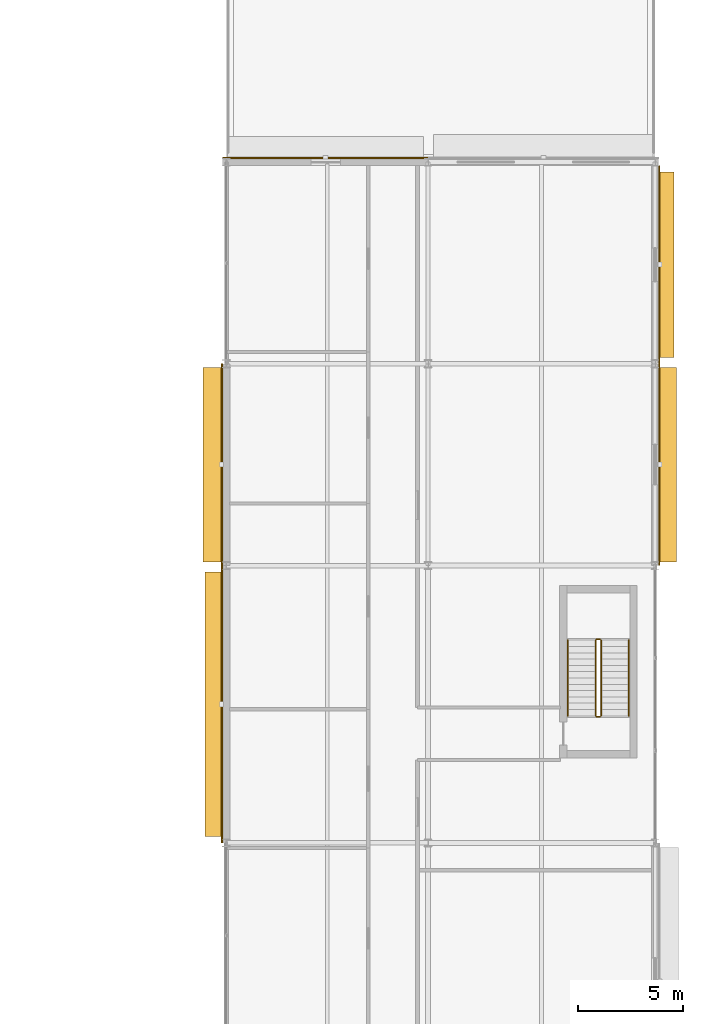
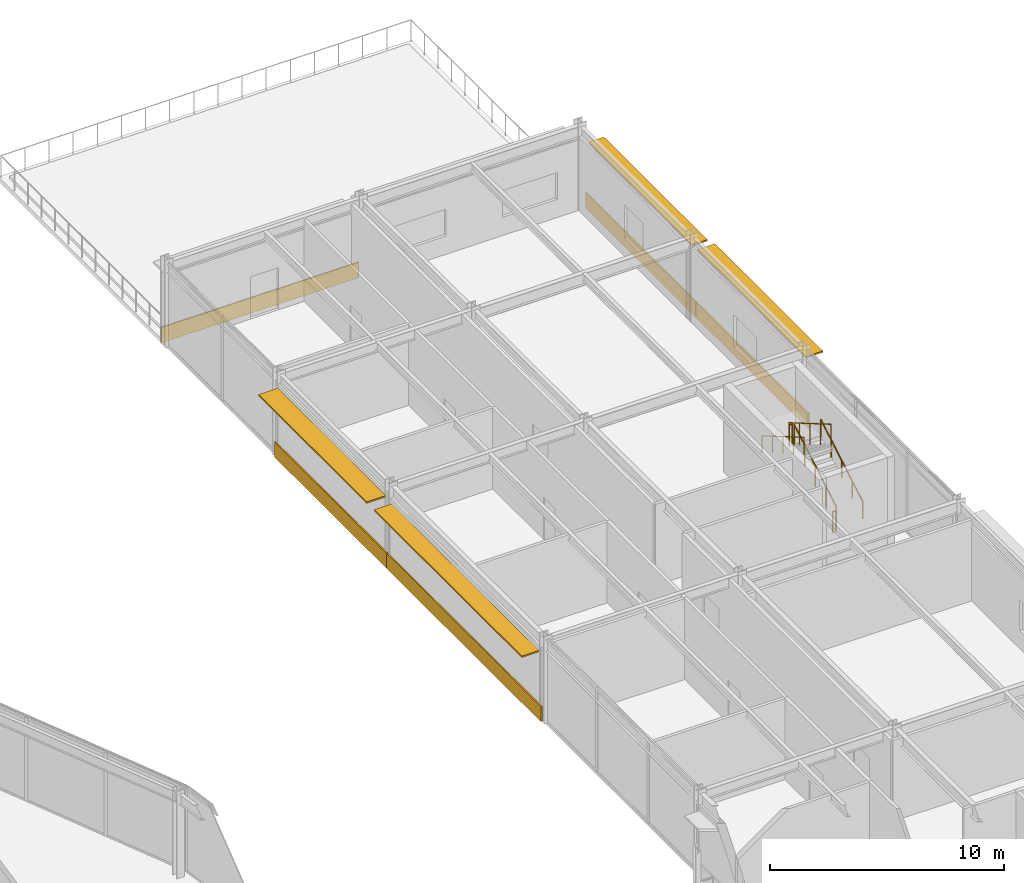
# One storey, part 156 of 157: 6 railings, 5 coverings, 4 shading devices.
"""IFC4 building model written with IfcOpenShell, lengths in metres."""

from ifc_helpers import new_model, si_unit, direction, frame, origin, origin_2d, place, context, subcontext, project, spatial, rectangle, circle, extrude, material, layer, layer_set, type_object, element, save


model = new_model("IFC4")

# Units and contexts
model_context = context("Model", 3, precision=1e-05, world=origin(), true_north=direction((0.0, 1.0)))
body_context = subcontext(model_context, "Body", "Model", "MODEL_VIEW")
ifc_project = project(units=[si_unit("LENGTHUNIT", "METRE"), si_unit("AREAUNIT", "SQUARE_METRE"), si_unit("VOLUMEUNIT", "CUBIC_METRE"), si_unit("PLANEANGLEUNIT", "RADIAN"), si_unit("MASSUNIT", "GRAM", prefix="KILO")], contexts=[model_context])

# Site, building, storey
site_placement = place(None, origin())
site = spatial("IfcSite", under=ifc_project, at=site_placement, CompositionType="ELEMENT")
building_placement = place(site_placement, origin())
building = spatial("IfcBuilding", under=site, at=building_placement, Name="Almandine Court Research Institute", CompositionType="ELEMENT")
storey_placement = place(building_placement, frame((0.0, 0.0, 5.25)))
storey = spatial("IfcBuildingStorey", under=building, at=storey_placement, Name="L01", CompositionType="ELEMENT", Elevation=5.25)

# Coverings
ifc_material_1 = material(Name="Honed Andean Red-Buff Sandstone Cladding", Category="masonry")
ifc_layer_1 = layer(ifc_material_1, 0.06494140625)
ifc_layer_set_1 = layer_set([ifc_layer_1], Name="Honed Andean Red-Buff Sandstone Cladding")
covering_type = type_object("IfcCoveringType", Name="Cov-CLAD-SAND", PredefinedType="CLADDING", material=ifc_layer_set_1)
covering_1_placement = place(storey_placement, frame((153.39892578125, 77.39990234375, 0.02001953125), z_axis=(0.0, 0.0, 1.0), x_axis=(0.0, 1.0, 0.0)))
element("IfcCovering", 1, at=covering_1_placement, inside=storey, type_object=covering_type, Name="L01 Facade Spandrel Cladding Band 123", PredefinedType="CLADDING", context=body_context, shape_type="SweptSolid", body=[
    extrude(rectangle(XDim=13.19189453125, YDim=0.06494140625, at=origin_2d()), origin(), (0.0, 0.0, 1.0), 0.800048828125),
])
covering_2_placement = place(storey_placement, frame((153.39892578125, 88.800048828125, 0.02001953125), z_axis=(0.0, 0.0, 1.0), x_axis=(0.0, 1.0, 0.0)))
element("IfcCovering", 2, at=covering_2_placement, inside=storey, type_object=covering_type, Name="L01 Facade Spandrel Cladding Band 124", PredefinedType="CLADDING", context=body_context, shape_type="SweptSolid", body=[
    extrude(rectangle(XDim=9.592041015625, YDim=0.06494140625, at=origin_2d()), origin(), (0.0, 0.0, 1.0), 0.800048828125),
])
covering_3_placement = place(storey_placement, frame((158.31298828125, 103.40087890625, 0.02001953125), z_axis=(0.0, 0.0, 1.0), x_axis=(1.0, 0.0, 0.0)))
element("IfcCovering", 3, at=covering_3_placement, inside=storey, type_object=covering_type, Name="L01 Facade Spandrel Cladding Band 125", PredefinedType="CLADDING", context=body_context, shape_type="SweptSolid", body=[
    extrude(rectangle(XDim=9.76611328125, YDim=0.06494140625, at=origin_2d()), origin(), (0.0, 0.0, 1.0), 0.800048828125),
])
covering_4_placement = place(storey_placement, frame((174.200927734375, 98.31494140625, 0.02001953125), z_axis=(0.0, 0.0, 1.0), x_axis=(0.0, -1.0, 0.0)))
element("IfcCovering", 4, at=covering_4_placement, inside=storey, type_object=covering_type, Name="L01 Facade Spandrel Cladding Band 127", PredefinedType="CLADDING", context=body_context, shape_type="SweptSolid", body=[
    extrude(rectangle(XDim=9.422119140625, YDim=0.06494140625, at=origin_2d()), origin(), (0.0, 0.0, 1.0), 0.800048828125),
])
covering_5_placement = place(storey_placement, frame((174.200927734375, 88.800048828125, 0.02001953125), z_axis=(0.0, 0.0, 1.0), x_axis=(0.0, -1.0, 0.0)))
element("IfcCovering", 5, at=covering_5_placement, inside=storey, type_object=covering_type, Name="L01 Facade Spandrel Cladding Band 128", PredefinedType="CLADDING", context=body_context, shape_type="SweptSolid", body=[
    extrude(rectangle(XDim=9.592041015625, YDim=0.06494140625, at=origin_2d()), origin(), (0.0, 0.0, 1.0), 0.800048828125),
])

# Railings
ifc_material_2 = material(Name="Powder-Coated Steel Stair and Atrium Balustrade", Category="steel")
railing_type_1 = type_object("IfcRailingType", Name="Rail-GUARD-INT", PredefinedType="BALUSTRADE", material=ifc_material_2)
railing_1_placement = place(storey_placement, frame((171.429931640625, 76.85009765625, 0.175048828125)))
element("IfcRailing", 6, at=railing_1_placement, inside=storey, type_object=railing_type_1, Name="L01 ST-13 stair guard 1", PredefinedType="BALUSTRADE", context=body_context, shape_type="SweptSolid", body=[
    extrude(circle(Radius=0.02392578125, at=origin_2d()), frame((0.0, 0.0, 1.09619140625), z_axis=(0.0, 0.86378527499, 0.503860098351), x_axis=(-1.0, 0.0, 0.0)), (0.0, 0.0, 1.0), 4.16748046875),
    extrude(circle(Radius=0.02099609375, at=origin_2d()), origin(), (0.0, 0.0, 1.0), 1.072021484375),
    extrude(circle(Radius=0.02099609375, at=origin_2d()), frame((0.0, 0.89990234375, 0.52490234375)), (0.0, 0.0, 1.0), 1.072021484375),
    extrude(circle(Radius=0.02099609375, at=origin_2d()), frame((0.0, 1.7998046875, 1.0498046875)), (0.0, 0.0, 1.0), 1.072021484375),
    extrude(circle(Radius=0.02099609375, at=origin_2d()), frame((0.0, 2.699951171875, 1.574951171875)), (0.0, 0.0, 1.0), 1.072021484375),
    extrude(circle(Radius=0.02099609375, at=origin_2d()), frame((0.0, 3.599853515625, 2.099853515625)), (0.0, 0.0, 1.0), 1.072021484375),
])
railing_2_placement = place(storey_placement, frame((171.3798828125, 80.5, 2.27490234375)))
element("IfcRailing", 7, at=railing_2_placement, inside=storey, type_object=railing_type_1, Name="L01 ST-13 stair guard 2", PredefinedType="BALUSTRADE", context=body_context, shape_type="SweptSolid", body=[
    extrude(circle(Radius=0.02392578125, at=origin_2d()), frame((0.0, 0.0, 1.09619140625), z_axis=(-1.0, 0.0, 0.0), x_axis=(0.0, -1.0, 0.0)), (0.0, 0.0, 1.0), 0.159912109375),
    extrude(circle(Radius=0.02099609375, at=origin_2d()), origin(), (0.0, 0.0, 1.0), 1.072021484375),
    extrude(circle(Radius=0.02099609375, at=origin_2d()), frame((-0.159912109375, 0.0, 0.0)), (0.0, 0.0, 1.0), 1.072021484375),
])
railing_3_placement = place(storey_placement, frame((171.169921875, 80.449951171875, 2.449951171875)))
element("IfcRailing", 8, at=railing_3_placement, inside=storey, type_object=railing_type_1, Name="L01 ST-13 stair guard 3", PredefinedType="BALUSTRADE", context=body_context, shape_type="SweptSolid", body=[
    extrude(circle(Radius=0.02392578125, at=origin_2d()), frame((0.0, 0.0, 1.09619140625), z_axis=(0.0, -0.863759778359, 0.503903805591), x_axis=(1.0, 0.0, 0.0)), (0.0, 0.0, 1.0), 4.167724609375),
    extrude(circle(Radius=0.02099609375, at=origin_2d()), origin(), (0.0, 0.0, 1.0), 1.072021484375),
    extrude(circle(Radius=0.02099609375, at=origin_2d()), frame((0.0, -0.89990234375, 0.52490234375)), (0.0, 0.0, 1.0), 1.072021484375),
    extrude(circle(Radius=0.02099609375, at=origin_2d()), frame((0.0, -1.7998046875, 1.050048828125)), (0.0, 0.0, 1.0), 1.072021484375),
    extrude(circle(Radius=0.02099609375, at=origin_2d()), frame((0.0, -2.699951171875, 1.5751953125)), (0.0, 0.0, 1.0), 1.072021484375),
    extrude(circle(Radius=0.02099609375, at=origin_2d()), frame((0.0, -3.599853515625, 2.10009765625)), (0.0, 0.0, 1.0), 1.072021484375),
])
railing_4_placement = place(storey_placement, frame((171.3798828125, 76.800048828125, 0.0)))
element("IfcRailing", 9, at=railing_4_placement, inside=storey, type_object=railing_type_1, Name="L01 ST-13 stair guard 4", PredefinedType="BALUSTRADE", context=body_context, shape_type="SweptSolid", body=[
    extrude(circle(Radius=0.02392578125, at=origin_2d()), frame((0.0, 0.0, 1.09619140625), z_axis=(-1.0, 0.0, 0.0), x_axis=(0.0, -1.0, 0.0)), (0.0, 0.0, 1.0), 0.159912109375),
    extrude(circle(Radius=0.02099609375, at=origin_2d()), origin(), (0.0, 0.0, 1.0), 1.072021484375),
    extrude(circle(Radius=0.02099609375, at=origin_2d()), frame((-0.159912109375, 0.0, 0.0)), (0.0, 0.0, 1.0), 1.072021484375),
])
ifc_material_3 = material(Name="Brushed Stainless Steel Wall Handrail", Category="steel")
railing_type_2 = type_object("IfcRailingType", Name="Rail-HAND-INT", PredefinedType="HANDRAIL", material=ifc_material_3)
railing_5_placement = place(storey_placement, frame((172.75, 76.85009765625, 0.175048828125)))
element("IfcRailing", 10, at=railing_5_placement, inside=storey, type_object=railing_type_2, Name="L01 ST-13 stair handrail 1", PredefinedType="HANDRAIL", context=body_context, shape_type="SweptSolid", body=[
    extrude(circle(Radius=0.02392578125, at=origin_2d()), frame((0.0, 0.0, 0.8759765625), z_axis=(0.0, 0.86378527499, 0.503860098351), x_axis=(-1.0, 0.0, 0.0)), (0.0, 0.0, 1.0), 4.16748046875),
    extrude(circle(Radius=0.02099609375, at=origin_2d()), origin(), (0.0, 0.0, 1.0), 0.851806640625),
    extrude(circle(Radius=0.02099609375, at=origin_2d()), frame((0.0, 0.89990234375, 0.52490234375)), (0.0, 0.0, 1.0), 0.851806640625),
    extrude(circle(Radius=0.02099609375, at=origin_2d()), frame((0.0, 1.7998046875, 1.0498046875)), (0.0, 0.0, 1.0), 0.851806640625),
    extrude(circle(Radius=0.02099609375, at=origin_2d()), frame((0.0, 2.699951171875, 1.574951171875)), (0.0, 0.0, 1.0), 0.851806640625),
    extrude(circle(Radius=0.02099609375, at=origin_2d()), frame((0.0, 3.599853515625, 2.099853515625)), (0.0, 0.0, 1.0), 0.851806640625),
])
railing_6_placement = place(storey_placement, frame((169.85009765625, 80.449951171875, 2.449951171875)))
element("IfcRailing", 11, at=railing_6_placement, inside=storey, type_object=railing_type_2, Name="L01 ST-13 stair handrail 2", PredefinedType="HANDRAIL", context=body_context, shape_type="SweptSolid", body=[
    extrude(circle(Radius=0.02392578125, at=origin_2d()), frame((0.0, 0.0, 0.8759765625), z_axis=(0.0, -0.863759778359, 0.503903805591), x_axis=(1.0, 0.0, 0.0)), (0.0, 0.0, 1.0), 4.167724609375),
    extrude(circle(Radius=0.02099609375, at=origin_2d()), origin(), (0.0, 0.0, 1.0), 0.851806640625),
    extrude(circle(Radius=0.02099609375, at=origin_2d()), frame((0.0, -0.89990234375, 0.52490234375)), (0.0, 0.0, 1.0), 0.851806640625),
    extrude(circle(Radius=0.02099609375, at=origin_2d()), frame((0.0, -1.7998046875, 1.050048828125)), (0.0, 0.0, 1.0), 0.851806640625),
    extrude(circle(Radius=0.02099609375, at=origin_2d()), frame((0.0, -2.699951171875, 1.5751953125)), (0.0, 0.0, 1.0), 0.851806640625),
    extrude(circle(Radius=0.02099609375, at=origin_2d()), frame((0.0, -3.599853515625, 2.10009765625)), (0.0, 0.0, 1.0), 0.851806640625),
])

# Shading devices
ifc_material_4 = material(Name="Precast GFRC Chhajja Sunshade and Acoustic Louvre", Category="concrete")
ifc_layer_2 = layer(ifc_material_4, 0.080078125)
ifc_layer_set_2 = layer_set([ifc_layer_2], Name="Precast GFRC Chhajja Sunshade and Acoustic Louvre")
shading_device_type_1 = type_object("IfcShadingDeviceType", Name="Shd-SD-04", PredefinedType="AWNING", material=ifc_layer_set_2)
shading_device_1_placement = place(storey_placement, frame((174.5849609375, 88.800048828125, 3.60400390625), z_axis=(0.0, 0.0, 1.0), x_axis=(0.0, -1.0, 0.0)))
element("IfcShadingDevice", 12, at=shading_device_1_placement, inside=storey, type_object=shading_device_type_1, Name="L01 Projecting Chhajja Sunshade 84", PredefinedType="AWNING", context=body_context, shape_type="SweptSolid", body=[
    extrude(rectangle(XDim=9.241943359375, YDim=0.85009765625, at=origin_2d()), origin(), (0.0, 0.0, 1.0), 0.080078125),
])
ifc_layer_3 = layer(ifc_material_4, 0.080078125)
ifc_layer_set_3 = layer_set([ifc_layer_3], Name="Precast GFRC Chhajja Sunshade and Acoustic Louvre")
shading_device_type_2 = type_object("IfcShadingDeviceType", Name="Shd-SD-11", PredefinedType="AWNING", material=ifc_layer_set_3)
shading_device_2_placement = place(storey_placement, frame((152.965087890625, 88.800048828125, 3.613037109375), z_axis=(0.0, 0.0, 1.0), x_axis=(0.0, 1.0, 0.0)))
element("IfcShadingDevice", 13, at=shading_device_2_placement, inside=storey, type_object=shading_device_type_2, Name="L01 Projecting Chhajja Sunshade 80", PredefinedType="AWNING", context=body_context, shape_type="SweptSolid", body=[
    extrude(rectangle(XDim=9.241943359375, YDim=0.949951171875, at=origin_2d()), origin(), (0.0, 0.0, 1.0), 0.080078125),
])
ifc_layer_4 = layer(ifc_material_4, 0.080078125)
ifc_layer_set_4 = layer_set([ifc_layer_4], Name="Precast GFRC Chhajja Sunshade and Acoustic Louvre")
shading_device_type_3 = type_object("IfcShadingDeviceType", Name="Shd-SD-48", PredefinedType="AWNING", material=ifc_layer_set_4)
shading_device_3_placement = place(storey_placement, frame((153.014892578125, 77.39990234375, 3.4619140625), z_axis=(0.0, 0.0, 1.0), x_axis=(0.0, 1.0, 0.0)))
element("IfcShadingDevice", 14, at=shading_device_3_placement, inside=storey, type_object=shading_device_type_3, Name="L01 Projecting Chhajja Sunshade 79", PredefinedType="AWNING", context=body_context, shape_type="SweptSolid", body=[
    extrude(rectangle(XDim=12.60205078125, YDim=0.85009765625, at=origin_2d()), origin(), (0.0, 0.0, 1.0), 0.080078125),
])
ifc_layer_5 = layer(ifc_material_4, 0.080078125)
ifc_layer_set_5 = layer_set([ifc_layer_5], Name="Precast GFRC Chhajja Sunshade and Acoustic Louvre")
shading_device_type_4 = type_object("IfcShadingDeviceType", Name="Shd-SD-51", PredefinedType="AWNING", material=ifc_layer_set_5)
shading_device_4_placement = place(storey_placement, frame((174.534912109375, 98.31494140625, 3.556884765625), z_axis=(0.0, 0.0, 1.0), x_axis=(0.0, -1.0, 0.0)))
element("IfcShadingDevice", 15, at=shading_device_4_placement, inside=storey, type_object=shading_device_type_4, Name="L01 Projecting Chhajja Sunshade 83", PredefinedType="AWNING", context=body_context, shape_type="SweptSolid", body=[
    extrude(rectangle(XDim=8.83203125, YDim=0.75, at=origin_2d()), origin(), (0.0, 0.0, 1.0), 0.080078125),
])

save(model, "model.ifc")
